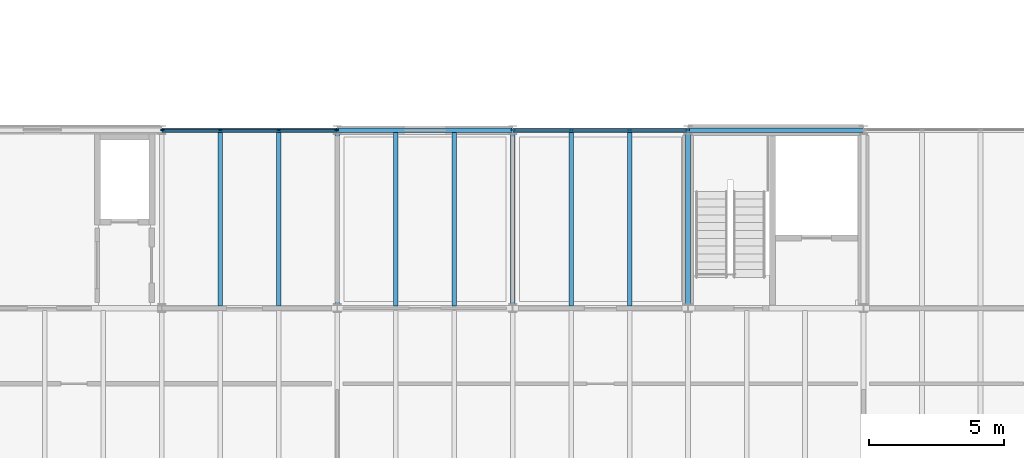
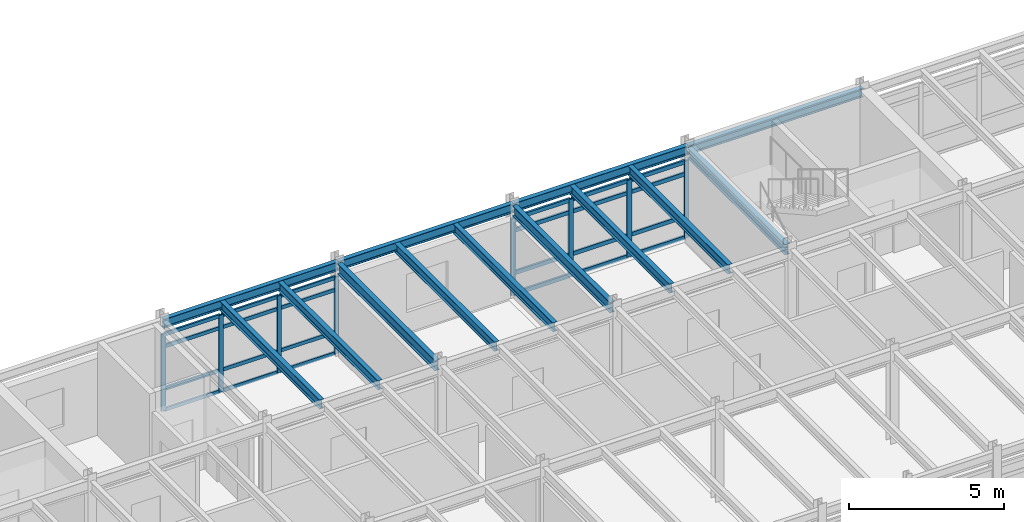
# One storey, part 22 of 57: 32 members, 13 beams, 2 elements without a shape of their own.
"""IFC4 building model written with IfcOpenShell, lengths in metres."""

from ifc_helpers import new_model, si_unit, direction, frame, origin, origin_2d, place, context, subcontext, project, spatial, rectangle, i_section, extrude, material, layer, layer_set, material_profile, profile_set, type_object, element, aggregate, save


model = new_model("IFC4")

# Units and contexts
model_context = context("Model", 3, precision=1e-05, world=origin(), true_north=direction((0.0, 1.0)))
body_context = subcontext(model_context, "Body", "Model", "MODEL_VIEW")
ifc_project = project(units=[si_unit("LENGTHUNIT", "METRE"), si_unit("AREAUNIT", "SQUARE_METRE"), si_unit("VOLUMEUNIT", "CUBIC_METRE"), si_unit("PLANEANGLEUNIT", "RADIAN"), si_unit("MASSUNIT", "GRAM", prefix="KILO")], contexts=[model_context])

# Site, building, storey
site_placement = place(None, origin())
site = spatial("IfcSite", under=ifc_project, at=site_placement, CompositionType="ELEMENT")
building_placement = place(site_placement, origin())
building = spatial("IfcBuilding", under=site, at=building_placement, Name="Trelmorton Wharf Fire Station", CompositionType="ELEMENT")
storey_placement = place(building_placement, frame((0.0, 0.0, 13.5)))
storey = spatial("IfcBuildingStorey", under=building, at=storey_placement, Name="L03", CompositionType="ELEMENT", Elevation=13.5)

# Beams
ifc_material_1 = material(Name="Steel Grade 350", Category="steel")
ifc_material_profile_1 = material_profile(ifc_material_1, i_section(OverallWidth=0.177978515625, OverallDepth=0.406005859375, WebThickness=0.0078125, FlangeThickness=0.0126953125, FilletRadius=0.011474609375, at=origin_2d()), Name="410UB59.7")
ifc_profile_set_1 = profile_set([ifc_material_profile_1], Name="Steel Grade 350")
beam_type_1 = type_object("IfcBeamType", Name="BM_410UB60", PredefinedType="BEAM", material=ifc_profile_set_1)
for number, where, z_axis, x_axis, name in (
    (1, (130.0, 21.153564453125, 3.427001953125), (0.0, 1.0, 0.0), (-1.0, 0.0, 0.0), "BM-L03-1003"),
    (2, (136.5, 21.153564453125, 3.427001953125), (0.0, 1.0, 0.0), (-1.0, 0.0, 0.0), "BM-L03-1009"),
    (3, (143.0, 21.153564453125, 3.427001953125), (0.0, 1.0, 0.0), (-1.0, 0.0, 0.0), "BM-L03-1015"),
):
    element("IfcBeam", number, at=place(storey_placement, frame(where, z_axis=z_axis, x_axis=x_axis)), inside=storey, type_object=beam_type_1, Name=name, PredefinedType="BEAM", context=body_context, shape_type="SweptSolid", body=[
        extrude(i_section(OverallWidth=0.177978515625, OverallDepth=0.406005859375, WebThickness=0.0078125, FlangeThickness=0.0126953125, FilletRadius=0.011474609375, at=origin_2d()), origin(), (0.0, 0.0, 1.0), 6.29296875),
    ])

# Curtain wall, members
ifc_material_2 = material(Name="Anodised aluminium AW-6063", Category="aluminium")
ifc_layer = layer(ifc_material_2, 0.14990234375)
ifc_layer_set = layer_set([ifc_layer], Name="Anodised aluminium AW-6063")
curtain_wall_type = type_object("IfcCurtainWallType", Name="CW_UNIT_A", PredefinedType="USERDEFINED", material=ifc_layer_set)
curtain_wall_1_placement = place(storey_placement, origin())
curtain_wall_1 = element("IfcCurtainWall", 4, at=curtain_wall_1_placement, inside=storey, type_object=curtain_wall_type, Name="CW-V5-L03-069", ObjectType="UNITISED CURTAIN WALL", PredefinedType="USERDEFINED")
ifc_material_profile_2 = material_profile(ifc_material_2, rectangle(XDim=0.06494140625, YDim=0.159912109375, at=origin_2d()), Name="ALU-65x160")
ifc_profile_set_2 = profile_set([ifc_material_profile_2], Name="Anodised aluminium AW-6063")
member_type_1 = type_object("IfcMemberType", Name="CWM_65x160", PredefinedType="MULLION", material=ifc_profile_set_2)
member_1_placement = place(storey_placement, frame((123.534912109375, 27.60009765625, 0.0), z_axis=(0.0, 0.0, 1.0), x_axis=(0.0, 1.0, 0.0)))
member_1 = element("IfcMember", 5, at=member_1_placement, type_object=member_type_1, Name="CW3 mullion 1", PredefinedType="MULLION", context=body_context, shape_type="SweptSolid", body=[
    extrude(rectangle(XDim=0.06494140625, YDim=0.159912109375, at=origin_2d()), origin(), (0.0, 0.0, 1.0), 3.02001953125),
])
member_2_placement = place(storey_placement, frame((125.668212890625, 27.60009765625, 0.0), z_axis=(0.0, 0.0, 1.0), x_axis=(0.0, 1.0, 0.0)))
member_2 = element("IfcMember", 6, at=member_2_placement, type_object=member_type_1, Name="CW3 mullion 2", PredefinedType="MULLION", context=body_context, shape_type="SweptSolid", body=[
    extrude(rectangle(XDim=0.06494140625, YDim=0.159912109375, at=origin_2d()), origin(), (0.0, 0.0, 1.0), 3.02001953125),
])
member_3_placement = place(storey_placement, frame((127.831787109375, 27.60009765625, 0.0), z_axis=(0.0, 0.0, 1.0), x_axis=(0.0, 1.0, 0.0)))
member_3 = element("IfcMember", 7, at=member_3_placement, type_object=member_type_1, Name="CW3 mullion 3", PredefinedType="MULLION", context=body_context, shape_type="SweptSolid", body=[
    extrude(rectangle(XDim=0.06494140625, YDim=0.159912109375, at=origin_2d()), origin(), (0.0, 0.0, 1.0), 3.02001953125),
])
member_4_placement = place(storey_placement, frame((129.965087890625, 27.60009765625, 0.0), z_axis=(0.0, 0.0, 1.0), x_axis=(0.0, 1.0, 0.0)))
member_4 = element("IfcMember", 8, at=member_4_placement, type_object=member_type_1, Name="CW3 mullion 4", PredefinedType="MULLION", context=body_context, shape_type="SweptSolid", body=[
    extrude(rectangle(XDim=0.06494140625, YDim=0.159912109375, at=origin_2d()), origin(), (0.0, 0.0, 1.0), 3.02001953125),
])

curtain_wall_2_placement = place(storey_placement, origin())
curtain_wall_2 = element("IfcCurtainWall", 9, at=curtain_wall_2_placement, inside=storey, type_object=curtain_wall_type, Name="CW-V5-L03-070", ObjectType="UNITISED CURTAIN WALL", PredefinedType="USERDEFINED")
ifc_material_profile_3 = material_profile(ifc_material_2, rectangle(XDim=0.074951171875, YDim=0.175048828125, at=origin_2d()), Name="ALU-75x175")
ifc_profile_set_3 = profile_set([ifc_material_profile_3], Name="Anodised aluminium AW-6063")
member_type_2 = type_object("IfcMemberType", Name="CWM_75x175", PredefinedType="MULLION", material=ifc_profile_set_3)
member_5_placement = place(storey_placement, frame((136.534912109375, 27.60009765625, 0.0), z_axis=(0.0, 0.0, 1.0), x_axis=(0.0, 1.0, 0.0)))
member_5 = element("IfcMember", 10, at=member_5_placement, type_object=member_type_2, Name="CW3 mullion 1", PredefinedType="MULLION", context=body_context, shape_type="SweptSolid", body=[
    extrude(rectangle(XDim=0.074951171875, YDim=0.175048828125, at=origin_2d()), origin(), (0.0, 0.0, 1.0), 3.02001953125),
])
member_6_placement = place(storey_placement, frame((138.668212890625, 27.60009765625, 0.0), z_axis=(0.0, 0.0, 1.0), x_axis=(0.0, 1.0, 0.0)))
member_6 = element("IfcMember", 11, at=member_6_placement, type_object=member_type_2, Name="CW3 mullion 2", PredefinedType="MULLION", context=body_context, shape_type="SweptSolid", body=[
    extrude(rectangle(XDim=0.074951171875, YDim=0.175048828125, at=origin_2d()), origin(), (0.0, 0.0, 1.0), 3.02001953125),
])
member_7_placement = place(storey_placement, frame((140.831787109375, 27.60009765625, 0.0), z_axis=(0.0, 0.0, 1.0), x_axis=(0.0, 1.0, 0.0)))
member_7 = element("IfcMember", 12, at=member_7_placement, type_object=member_type_2, Name="CW3 mullion 3", PredefinedType="MULLION", context=body_context, shape_type="SweptSolid", body=[
    extrude(rectangle(XDim=0.074951171875, YDim=0.175048828125, at=origin_2d()), origin(), (0.0, 0.0, 1.0), 3.02001953125),
])
member_8_placement = place(storey_placement, frame((142.965087890625, 27.60009765625, 0.0), z_axis=(0.0, 0.0, 1.0), x_axis=(0.0, 1.0, 0.0)))
member_8 = element("IfcMember", 13, at=member_8_placement, type_object=member_type_2, Name="CW3 mullion 4", PredefinedType="MULLION", context=body_context, shape_type="SweptSolid", body=[
    extrude(rectangle(XDim=0.074951171875, YDim=0.175048828125, at=origin_2d()), origin(), (0.0, 0.0, 1.0), 3.02001953125),
])

# Member
ifc_material_profile_4 = material_profile(ifc_material_2, rectangle(XDim=0.06494140625, YDim=0.139892578125, at=origin_2d()), Name="ALU-65x140")
ifc_profile_set_4 = profile_set([ifc_material_profile_4], Name="Anodised aluminium AW-6063")
member_type_3 = type_object("IfcMemberType", Name="CWT_65x140", PredefinedType="USERDEFINED", material=ifc_profile_set_4)
member_9_placement = place(storey_placement, frame((123.56494140625, 27.60009765625, 0.030029296875), z_axis=(1.0, 0.0, 0.0), x_axis=(0.0, 1.0, 0.0)))
member_9 = element("IfcMember", 14, at=member_9_placement, type_object=member_type_3, Name="CW3 transom 1.1", ObjectType="TRANSOM", PredefinedType="USERDEFINED", context=body_context, shape_type="SweptSolid", body=[
    extrude(rectangle(XDim=0.06494140625, YDim=0.139892578125, at=origin_2d()), origin(), (0.0, 0.0, 1.0), 2.073486328125),
])

member_10_placement = place(storey_placement, frame((123.56494140625, 27.60009765625, 0.85009765625), z_axis=(1.0, 0.0, 0.0), x_axis=(0.0, 1.0, 0.0)))
member_10 = element("IfcMember", 15, at=member_10_placement, type_object=member_type_3, Name="CW3 transom 1.2", ObjectType="TRANSOM", PredefinedType="USERDEFINED", context=body_context, shape_type="SweptSolid", body=[
    extrude(rectangle(XDim=0.06494140625, YDim=0.139892578125, at=origin_2d()), origin(), (0.0, 0.0, 1.0), 2.073486328125),
])

member_11_placement = place(storey_placement, frame((123.56494140625, 27.60009765625, 2.52001953125), z_axis=(1.0, 0.0, 0.0), x_axis=(0.0, 1.0, 0.0)))
member_11 = element("IfcMember", 16, at=member_11_placement, type_object=member_type_3, Name="CW3 transom 1.3", ObjectType="TRANSOM", PredefinedType="USERDEFINED", context=body_context, shape_type="SweptSolid", body=[
    extrude(rectangle(XDim=0.06494140625, YDim=0.139892578125, at=origin_2d()), origin(), (0.0, 0.0, 1.0), 2.073486328125),
])

member_12_placement = place(storey_placement, frame((123.56494140625, 27.60009765625, 2.989990234375), z_axis=(1.0, 0.0, 0.0), x_axis=(0.0, 1.0, 0.0)))
member_12 = element("IfcMember", 17, at=member_12_placement, type_object=member_type_3, Name="CW3 transom 1.4", ObjectType="TRANSOM", PredefinedType="USERDEFINED", context=body_context, shape_type="SweptSolid", body=[
    extrude(rectangle(XDim=0.06494140625, YDim=0.139892578125, at=origin_2d()), origin(), (0.0, 0.0, 1.0), 2.073486328125),
])

member_13_placement = place(storey_placement, frame((125.6982421875, 27.60009765625, 0.030029296875), z_axis=(1.0, 0.0, 0.0), x_axis=(0.0, 1.0, 0.0)))
member_13 = element("IfcMember", 18, at=member_13_placement, type_object=member_type_3, Name="CW3 transom 2.1", ObjectType="TRANSOM", PredefinedType="USERDEFINED", context=body_context, shape_type="SweptSolid", body=[
    extrude(rectangle(XDim=0.06494140625, YDim=0.139892578125, at=origin_2d()), origin(), (0.0, 0.0, 1.0), 2.103515625),
])

member_14_placement = place(storey_placement, frame((125.6982421875, 27.60009765625, 0.85009765625), z_axis=(1.0, 0.0, 0.0), x_axis=(0.0, 1.0, 0.0)))
member_14 = element("IfcMember", 19, at=member_14_placement, type_object=member_type_3, Name="CW3 transom 2.2", ObjectType="TRANSOM", PredefinedType="USERDEFINED", context=body_context, shape_type="SweptSolid", body=[
    extrude(rectangle(XDim=0.06494140625, YDim=0.139892578125, at=origin_2d()), origin(), (0.0, 0.0, 1.0), 2.103515625),
])

member_15_placement = place(storey_placement, frame((125.6982421875, 27.60009765625, 2.52001953125), z_axis=(1.0, 0.0, 0.0), x_axis=(0.0, 1.0, 0.0)))
member_15 = element("IfcMember", 20, at=member_15_placement, type_object=member_type_3, Name="CW3 transom 2.3", ObjectType="TRANSOM", PredefinedType="USERDEFINED", context=body_context, shape_type="SweptSolid", body=[
    extrude(rectangle(XDim=0.06494140625, YDim=0.139892578125, at=origin_2d()), origin(), (0.0, 0.0, 1.0), 2.103515625),
])

member_16_placement = place(storey_placement, frame((125.6982421875, 27.60009765625, 2.989990234375), z_axis=(1.0, 0.0, 0.0), x_axis=(0.0, 1.0, 0.0)))
member_16 = element("IfcMember", 21, at=member_16_placement, type_object=member_type_3, Name="CW3 transom 2.4", ObjectType="TRANSOM", PredefinedType="USERDEFINED", context=body_context, shape_type="SweptSolid", body=[
    extrude(rectangle(XDim=0.06494140625, YDim=0.139892578125, at=origin_2d()), origin(), (0.0, 0.0, 1.0), 2.103515625),
])

member_17_placement = place(storey_placement, frame((127.861572265625, 27.60009765625, 0.030029296875), z_axis=(1.0, 0.0, 0.0), x_axis=(0.0, 1.0, 0.0)))
member_17 = element("IfcMember", 22, at=member_17_placement, type_object=member_type_3, Name="CW3 transom 3.1", ObjectType="TRANSOM", PredefinedType="USERDEFINED", context=body_context, shape_type="SweptSolid", body=[
    extrude(rectangle(XDim=0.06494140625, YDim=0.139892578125, at=origin_2d()), origin(), (0.0, 0.0, 1.0), 2.073486328125),
])

member_18_placement = place(storey_placement, frame((127.861572265625, 27.60009765625, 0.85009765625), z_axis=(1.0, 0.0, 0.0), x_axis=(0.0, 1.0, 0.0)))
member_18 = element("IfcMember", 23, at=member_18_placement, type_object=member_type_3, Name="CW3 transom 3.2", ObjectType="TRANSOM", PredefinedType="USERDEFINED", context=body_context, shape_type="SweptSolid", body=[
    extrude(rectangle(XDim=0.06494140625, YDim=0.139892578125, at=origin_2d()), origin(), (0.0, 0.0, 1.0), 2.073486328125),
])

member_19_placement = place(storey_placement, frame((127.861572265625, 27.60009765625, 2.52001953125), z_axis=(1.0, 0.0, 0.0), x_axis=(0.0, 1.0, 0.0)))
member_19 = element("IfcMember", 24, at=member_19_placement, type_object=member_type_3, Name="CW3 transom 3.3", ObjectType="TRANSOM", PredefinedType="USERDEFINED", context=body_context, shape_type="SweptSolid", body=[
    extrude(rectangle(XDim=0.06494140625, YDim=0.139892578125, at=origin_2d()), origin(), (0.0, 0.0, 1.0), 2.073486328125),
])

member_20_placement = place(storey_placement, frame((127.861572265625, 27.60009765625, 2.989990234375), z_axis=(1.0, 0.0, 0.0), x_axis=(0.0, 1.0, 0.0)))
member_20 = element("IfcMember", 25, at=member_20_placement, type_object=member_type_3, Name="CW3 transom 3.4", ObjectType="TRANSOM", PredefinedType="USERDEFINED", context=body_context, shape_type="SweptSolid", body=[
    extrude(rectangle(XDim=0.06494140625, YDim=0.139892578125, at=origin_2d()), origin(), (0.0, 0.0, 1.0), 2.073486328125),
])

aggregate(curtain_wall_1, [member_1, member_2, member_3, member_4, member_9, member_10, member_11, member_12, member_13, member_14, member_15, member_16, member_17, member_18, member_19, member_20])

ifc_material_profile_5 = material_profile(ifc_material_2, rectangle(XDim=0.074951171875, YDim=0.155029296875, at=origin_2d()), Name="ALU-75x155")
ifc_profile_set_5 = profile_set([ifc_material_profile_5], Name="Anodised aluminium AW-6063")
member_type_4 = type_object("IfcMemberType", Name="CWT_75x155", PredefinedType="USERDEFINED", material=ifc_profile_set_5)
member_21_placement = place(storey_placement, frame((136.56494140625, 27.60009765625, 0.030029296875), z_axis=(1.0, 0.0, 0.0), x_axis=(0.0, 1.0, 0.0)))
member_21 = element("IfcMember", 26, at=member_21_placement, type_object=member_type_4, Name="CW3 transom 1.1", ObjectType="TRANSOM", PredefinedType="USERDEFINED", context=body_context, shape_type="SweptSolid", body=[
    extrude(rectangle(XDim=0.074951171875, YDim=0.155029296875, at=origin_2d()), origin(), (0.0, 0.0, 1.0), 2.073486328125),
])

member_22_placement = place(storey_placement, frame((136.56494140625, 27.60009765625, 0.85009765625), z_axis=(1.0, 0.0, 0.0), x_axis=(0.0, 1.0, 0.0)))
member_22 = element("IfcMember", 27, at=member_22_placement, type_object=member_type_4, Name="CW3 transom 1.2", ObjectType="TRANSOM", PredefinedType="USERDEFINED", context=body_context, shape_type="SweptSolid", body=[
    extrude(rectangle(XDim=0.074951171875, YDim=0.155029296875, at=origin_2d()), origin(), (0.0, 0.0, 1.0), 2.073486328125),
])

member_23_placement = place(storey_placement, frame((136.56494140625, 27.60009765625, 2.52001953125), z_axis=(1.0, 0.0, 0.0), x_axis=(0.0, 1.0, 0.0)))
member_23 = element("IfcMember", 28, at=member_23_placement, type_object=member_type_4, Name="CW3 transom 1.3", ObjectType="TRANSOM", PredefinedType="USERDEFINED", context=body_context, shape_type="SweptSolid", body=[
    extrude(rectangle(XDim=0.074951171875, YDim=0.155029296875, at=origin_2d()), origin(), (0.0, 0.0, 1.0), 2.073486328125),
])

member_24_placement = place(storey_placement, frame((136.56494140625, 27.60009765625, 2.989990234375), z_axis=(1.0, 0.0, 0.0), x_axis=(0.0, 1.0, 0.0)))
member_24 = element("IfcMember", 29, at=member_24_placement, type_object=member_type_4, Name="CW3 transom 1.4", ObjectType="TRANSOM", PredefinedType="USERDEFINED", context=body_context, shape_type="SweptSolid", body=[
    extrude(rectangle(XDim=0.074951171875, YDim=0.155029296875, at=origin_2d()), origin(), (0.0, 0.0, 1.0), 2.073486328125),
])

member_25_placement = place(storey_placement, frame((138.6982421875, 27.60009765625, 0.030029296875), z_axis=(1.0, 0.0, 0.0), x_axis=(0.0, 1.0, 0.0)))
member_25 = element("IfcMember", 30, at=member_25_placement, type_object=member_type_4, Name="CW3 transom 2.1", ObjectType="TRANSOM", PredefinedType="USERDEFINED", context=body_context, shape_type="SweptSolid", body=[
    extrude(rectangle(XDim=0.074951171875, YDim=0.155029296875, at=origin_2d()), origin(), (0.0, 0.0, 1.0), 2.103515625),
])

member_26_placement = place(storey_placement, frame((138.6982421875, 27.60009765625, 0.85009765625), z_axis=(1.0, 0.0, 0.0), x_axis=(0.0, 1.0, 0.0)))
member_26 = element("IfcMember", 31, at=member_26_placement, type_object=member_type_4, Name="CW3 transom 2.2", ObjectType="TRANSOM", PredefinedType="USERDEFINED", context=body_context, shape_type="SweptSolid", body=[
    extrude(rectangle(XDim=0.074951171875, YDim=0.155029296875, at=origin_2d()), origin(), (0.0, 0.0, 1.0), 2.103515625),
])

member_27_placement = place(storey_placement, frame((138.6982421875, 27.60009765625, 2.52001953125), z_axis=(1.0, 0.0, 0.0), x_axis=(0.0, 1.0, 0.0)))
member_27 = element("IfcMember", 32, at=member_27_placement, type_object=member_type_4, Name="CW3 transom 2.3", ObjectType="TRANSOM", PredefinedType="USERDEFINED", context=body_context, shape_type="SweptSolid", body=[
    extrude(rectangle(XDim=0.074951171875, YDim=0.155029296875, at=origin_2d()), origin(), (0.0, 0.0, 1.0), 2.103515625),
])

member_28_placement = place(storey_placement, frame((138.6982421875, 27.60009765625, 2.989990234375), z_axis=(1.0, 0.0, 0.0), x_axis=(0.0, 1.0, 0.0)))
member_28 = element("IfcMember", 33, at=member_28_placement, type_object=member_type_4, Name="CW3 transom 2.4", ObjectType="TRANSOM", PredefinedType="USERDEFINED", context=body_context, shape_type="SweptSolid", body=[
    extrude(rectangle(XDim=0.074951171875, YDim=0.155029296875, at=origin_2d()), origin(), (0.0, 0.0, 1.0), 2.103515625),
])

member_29_placement = place(storey_placement, frame((140.861572265625, 27.60009765625, 0.030029296875), z_axis=(1.0, 0.0, 0.0), x_axis=(0.0, 1.0, 0.0)))
member_29 = element("IfcMember", 34, at=member_29_placement, type_object=member_type_4, Name="CW3 transom 3.1", ObjectType="TRANSOM", PredefinedType="USERDEFINED", context=body_context, shape_type="SweptSolid", body=[
    extrude(rectangle(XDim=0.074951171875, YDim=0.155029296875, at=origin_2d()), origin(), (0.0, 0.0, 1.0), 2.073486328125),
])

member_30_placement = place(storey_placement, frame((140.861572265625, 27.60009765625, 0.85009765625), z_axis=(1.0, 0.0, 0.0), x_axis=(0.0, 1.0, 0.0)))
member_30 = element("IfcMember", 35, at=member_30_placement, type_object=member_type_4, Name="CW3 transom 3.2", ObjectType="TRANSOM", PredefinedType="USERDEFINED", context=body_context, shape_type="SweptSolid", body=[
    extrude(rectangle(XDim=0.074951171875, YDim=0.155029296875, at=origin_2d()), origin(), (0.0, 0.0, 1.0), 2.073486328125),
])

member_31_placement = place(storey_placement, frame((140.861572265625, 27.60009765625, 2.52001953125), z_axis=(1.0, 0.0, 0.0), x_axis=(0.0, 1.0, 0.0)))
member_31 = element("IfcMember", 36, at=member_31_placement, type_object=member_type_4, Name="CW3 transom 3.3", ObjectType="TRANSOM", PredefinedType="USERDEFINED", context=body_context, shape_type="SweptSolid", body=[
    extrude(rectangle(XDim=0.074951171875, YDim=0.155029296875, at=origin_2d()), origin(), (0.0, 0.0, 1.0), 2.073486328125),
])

member_32_placement = place(storey_placement, frame((140.861572265625, 27.60009765625, 2.989990234375), z_axis=(1.0, 0.0, 0.0), x_axis=(0.0, 1.0, 0.0)))
member_32 = element("IfcMember", 37, at=member_32_placement, type_object=member_type_4, Name="CW3 transom 3.4", ObjectType="TRANSOM", PredefinedType="USERDEFINED", context=body_context, shape_type="SweptSolid", body=[
    extrude(rectangle(XDim=0.074951171875, YDim=0.155029296875, at=origin_2d()), origin(), (0.0, 0.0, 1.0), 2.073486328125),
])

aggregate(curtain_wall_2, [member_5, member_6, member_7, member_8, member_21, member_22, member_23, member_24, member_25, member_26, member_27, member_28, member_29, member_30, member_31, member_32])

# Beams
ifc_material_profile_6 = material_profile(ifc_material_1, i_section(OverallWidth=0.172119140625, OverallDepth=0.35888671875, WebThickness=0.008056640625, FlangeThickness=0.012939453125, FilletRadius=0.011474609375, at=origin_2d()), Name="360UB56.7")
ifc_profile_set_6 = profile_set([ifc_material_profile_6], Name="Steel Grade 350")
beam_type_2 = type_object("IfcBeamType", Name="JS_360UB57", PredefinedType="JOIST", material=ifc_profile_set_6)
for number, where, z_axis, x_axis, name in (
    (38, (125.666748046875, 21.090087890625, 3.450439453125), (0.0, 1.0, 0.0), (-1.0, 0.0, 0.0), "JS-L03-0357"),
    (39, (127.833251953125, 21.090087890625, 3.450439453125), (0.0, 1.0, 0.0), (-1.0, 0.0, 0.0), "JS-L03-0358"),
    (40, (132.166748046875, 21.090087890625, 3.450439453125), (0.0, 1.0, 0.0), (-1.0, 0.0, 0.0), "JS-L03-0363"),
    (41, (134.333251953125, 21.090087890625, 3.450439453125), (0.0, 1.0, 0.0), (-1.0, 0.0, 0.0), "JS-L03-0364"),
    (42, (138.666748046875, 21.090087890625, 3.450439453125), (0.0, 1.0, 0.0), (-1.0, 0.0, 0.0), "JS-L03-0369"),
    (43, (140.833251953125, 21.090087890625, 3.450439453125), (0.0, 1.0, 0.0), (-1.0, 0.0, 0.0), "JS-L03-0370"),
):
    element("IfcBeam", number, at=place(storey_placement, frame(where, z_axis=z_axis, x_axis=x_axis)), inside=storey, type_object=beam_type_2, Name=name, PredefinedType="JOIST", context=body_context, shape_type="SweptSolid", body=[
        extrude(i_section(OverallWidth=0.172119140625, OverallDepth=0.35888671875, WebThickness=0.008056640625, FlangeThickness=0.012939453125, FilletRadius=0.011474609375, at=origin_2d()), origin(), (0.0, 0.0, 1.0), 6.419921875),
    ])
ifc_material_profile_7 = material_profile(ifc_material_1, i_section(OverallWidth=0.1708984375, OverallDepth=0.35595703125, WebThickness=0.00732421875, FlangeThickness=0.011474609375, FilletRadius=0.011474609375, at=origin_2d()), Name="360UB50.7")
ifc_profile_set_7 = profile_set([ifc_material_profile_7], Name="Steel Grade 350")
beam_type_3 = type_object("IfcBeamType", Name="SP_360UB51", PredefinedType="SPANDREL", material=ifc_profile_set_7)
for number, where, z_axis, x_axis, name in (
    (44, (123.50390625, 27.60009765625, 3.451904296875), (1.0, 0.0, 0.0), (0.0, 1.0, 0.0), "BM-L03-0911"),
    (45, (130.00390625, 27.60009765625, 3.451904296875), (1.0, 0.0, 0.0), (0.0, 1.0, 0.0), "BM-L03-0912"),
    (46, (136.50390625, 27.60009765625, 3.451904296875), (1.0, 0.0, 0.0), (0.0, 1.0, 0.0), "BM-L03-0913"),
    (47, (143.00390625, 27.60009765625, 3.451904296875), (1.0, 0.0, 0.0), (0.0, 1.0, 0.0), "BM-L03-0914"),
):
    element("IfcBeam", number, at=place(storey_placement, frame(where, z_axis=z_axis, x_axis=x_axis)), inside=storey, type_object=beam_type_3, Name=name, PredefinedType="SPANDREL", context=body_context, shape_type="SweptSolid", body=[
        extrude(i_section(OverallWidth=0.1708984375, OverallDepth=0.35595703125, WebThickness=0.00732421875, FlangeThickness=0.011474609375, FilletRadius=0.011474609375, at=origin_2d()), origin(), (0.0, 0.0, 1.0), 6.4921875),
    ])

save(model, "model.ifc")
